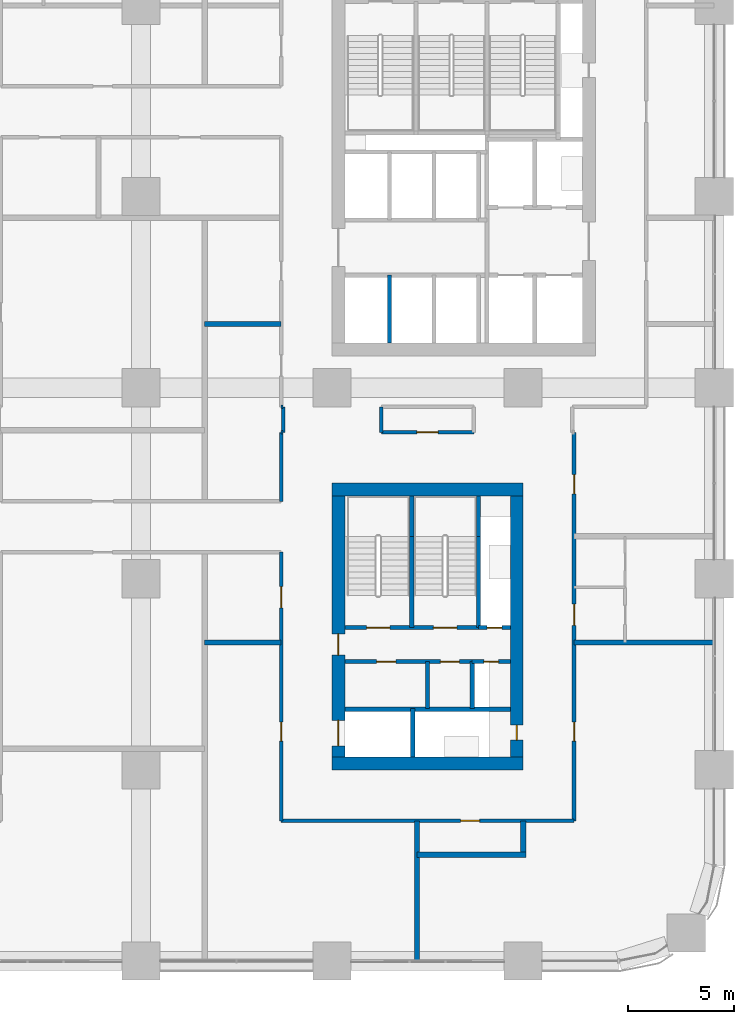
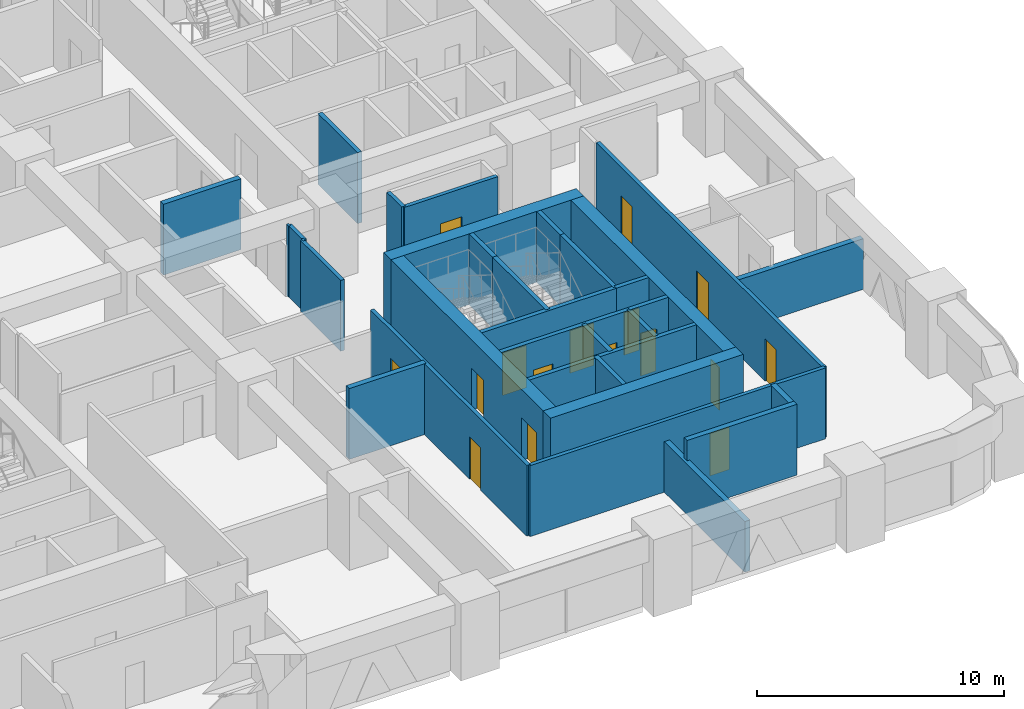
# One storey, part 14 of 21: 32 walls, 16 doors, 16 openings.
"""IFC4 building model written with IfcOpenShell, lengths in metres."""

from ifc_helpers import new_model, si_unit, direction, frame, frame_2d, origin, place, context, subcontext, project, spatial, rectangle, extrude, material, layer, layer_set, type_object, element, fill, save


model = new_model("IFC4")

# Units and contexts
model_context = context("Model", 3, precision=1e-05, world=origin(), true_north=direction((0.0, 1.0)))
body_context = subcontext(model_context, "Body", "Model", "MODEL_VIEW")
ifc_project = project(units=[si_unit("LENGTHUNIT", "METRE"), si_unit("AREAUNIT", "SQUARE_METRE"), si_unit("VOLUMEUNIT", "CUBIC_METRE"), si_unit("PLANEANGLEUNIT", "RADIAN"), si_unit("MASSUNIT", "GRAM", prefix="KILO")], contexts=[model_context])

# Site, building, storey
site_placement = place(None, origin())
site = spatial("IfcSite", under=ifc_project, at=site_placement, CompositionType="ELEMENT")
building_placement = place(site_placement, origin())
building = spatial("IfcBuilding", under=site, at=building_placement, Name="Tessera Arch", CompositionType="ELEMENT")
storey_placement = place(building_placement, frame((0.0, 0.0, 50.0)))
storey = spatial("IfcBuildingStorey", under=building, at=storey_placement, Name="L10", CompositionType="ELEMENT", Elevation=50.0)

# Wall
ifc_material_1 = material(Name="Gypsum board on steel stud", Category="steel")
ifc_layer_1 = layer(ifc_material_1, 0.125)
ifc_layer_set_1 = layer_set([ifc_layer_1], Name="Core partition 125 EI 60")
wall_type_1 = type_object("IfcWallType", Name="Core partition 125 EI 60", PredefinedType="PARTITIONING", material=ifc_layer_set_1)
wall_1_placement = place(storey_placement, frame((40.5, 11.89990234375, 0.0), z_axis=(0.0, 0.0, 1.0), x_axis=(0.0, 1.0, 0.0)))
element("IfcWall", 1, at=wall_1_placement, inside=storey, type_object=wall_type_1, Name="L10 C3 partition wall 4", PredefinedType="PARTITIONING", context=body_context, shape_type="SweptSolid", body=[
    extrude(rectangle(XDim=2.2001953125, YDim=0.199951171875, at=frame_2d((1.10009765625, 0.0))), origin(), (0.0, 0.0, 1.0), 3.5),
])

# Wall, openings, doors
wall_2_placement = place(storey_placement, frame((36.60009765625, 14.10009765625, 0.0), z_axis=(0.0, 0.0, 1.0), x_axis=(1.0, 0.0, 0.0)))
wall_2 = element("IfcWall", 2, at=wall_2_placement, inside=storey, type_object=wall_type_1, Name="L10 C3 partition wall 9", PredefinedType="PARTITIONING", context=body_context, shape_type="SweptSolid", body=[
    extrude(rectangle(XDim=6.0, YDim=0.199951171875, at=frame_2d((3.0, 0.0))), origin(), (0.0, 0.0, 1.0), 3.5),
])
opening_1_placement = place(wall_2_placement, frame((1.5, 0.0, 0.0)))
opening_1 = element("IfcOpeningElement", 3, at=opening_1_placement, cuts=wall_2, Name="Opening L10-C40", PredefinedType="OPENING", context=body_context, shape_type="SweptSolid", body=[
    extrude(rectangle(XDim=0.89990234375, YDim=2.10009765625, at=frame_2d((0.449951171875, 1.050048828125))), frame((0.0, 0.10986328125, 0.0), z_axis=(0.0, -1.0, 0.0), x_axis=(1.0, 0.0, 0.0)), (0.0, 0.0, 1.0), 0.219970703125),
])
opening_2_placement = place(wall_2_placement, frame((4.5, 0.0, 0.0)))
opening_2 = element("IfcOpeningElement", 4, at=opening_2_placement, cuts=wall_2, Name="Opening L10-C41", PredefinedType="OPENING", context=body_context, shape_type="SweptSolid", body=[
    extrude(rectangle(XDim=0.89990234375, YDim=2.10009765625, at=frame_2d((0.449951171875, 1.050048828125))), frame((0.0, 0.10986328125, 0.0), z_axis=(0.0, -1.0, 0.0), x_axis=(1.0, 0.0, 0.0)), (0.0, 0.0, 1.0), 0.219970703125),
])
ifc_material_2 = material(Name="Steel door leaf", Category="steel")
door_type_1 = type_object("IfcDoorType", Name="Store door FD30S 900 x 2100", OperationType="SINGLE_SWING_LEFT", PredefinedType="DOOR", material=ifc_material_2)
door_1_placement = place(opening_1_placement, origin())
door_1 = element("IfcDoor", 5, at=door_1_placement, inside=storey, type_object=door_type_1, Name="L10 C3 door 8 C40 type D09", OperationType="SINGLE_SWING_LEFT", OverallHeight=2.10009765625, OverallWidth=0.89990234375, PredefinedType="DOOR", context=body_context, shape_type="SweptSolid", body=[
    extrude(rectangle(XDim=0.89990234375, YDim=2.10009765625, at=frame_2d((0.449951171875, 1.050048828125))), frame((0.0, 0.02490234375, 0.0), z_axis=(0.0, -1.0, 0.0), x_axis=(1.0, 0.0, 0.0)), (0.0, 0.0, 1.0), 0.050048828125),
])
fill(opening_1, door_1)
door_2_placement = place(opening_2_placement, origin())
door_2 = element("IfcDoor", 6, at=door_2_placement, inside=storey, type_object=door_type_1, Name="L10 C3 door 9 C41 type D09", OperationType="SINGLE_SWING_RIGHT", OverallHeight=2.10009765625, OverallWidth=0.89990234375, PredefinedType="DOOR", context=body_context, shape_type="SweptSolid", body=[
    extrude(rectangle(XDim=0.89990234375, YDim=2.10009765625, at=frame_2d((0.449951171875, 1.050048828125))), frame((0.0, 0.02490234375, 0.0), z_axis=(0.0, -1.0, 0.0), x_axis=(1.0, 0.0, 0.0)), (0.0, 0.0, 1.0), 0.050048828125),
])
fill(opening_2, door_2)

# Walls
ifc_material_3 = material(Name="Concrete C70/85", Category="concrete")
ifc_layer_2 = layer(ifc_material_3, 0.60009765625)
ifc_layer_set_2 = layer_set([ifc_layer_2], Name="Core shell wall 600 C70-85")
wall_type_2 = type_object("IfcWallType", Name="Core shell wall 600 C70-85", PredefinedType="SHEAR", material=ifc_layer_set_2)
for number, where, z_axis, x_axis, name in (
    (7, (36.0, 9.300048828125, 0.0), (0.0, 0.0, 1.0), (1.0, 0.0, 0.0), "L10 C3 core wall S"),
    (8, (36.0, 22.199951171875, 0.0), (0.0, 0.0, 1.0), (1.0, 0.0, 0.0), "L10 C3 core wall N"),
):
    element("IfcWall", number, at=place(storey_placement, frame(where, z_axis=z_axis, x_axis=x_axis)), inside=storey, type_object=wall_type_2, Name=name, PredefinedType="SHEAR", context=body_context, shape_type="SweptSolid", body=[
        extrude(rectangle(XDim=9.0, YDim=0.60009765625, at=frame_2d((4.5, 0.0))), origin(), (0.0, 0.0, 1.0), 3.5),
    ])

# Wall, openings, doors
wall_3_placement = place(storey_placement, frame((36.300048828125, 9.60009765625, 0.0), z_axis=(0.0, 0.0, 1.0), x_axis=(0.0, 1.0, 0.0)))
wall_3 = element("IfcWall", 9, at=wall_3_placement, inside=storey, type_object=wall_type_2, Name="L10 C3 core wall W", PredefinedType="SHEAR", context=body_context, shape_type="SweptSolid", body=[
    extrude(rectangle(XDim=12.2998046875, YDim=0.60009765625, at=frame_2d((6.14990234375, 0.0))), origin(), (0.0, 0.0, 1.0), 3.5),
])
opening_3_placement = place(wall_3_placement, frame((0.52490234375, 0.0, 0.0)))
opening_3 = element("IfcOpeningElement", 10, at=opening_3_placement, cuts=wall_3, Name="Opening L10-C33", PredefinedType="OPENING", context=body_context, shape_type="SweptSolid", body=[
    extrude(rectangle(XDim=1.199951171875, YDim=2.10009765625, at=frame_2d((0.60009765625, 1.050048828125))), frame((0.0, 0.31005859375, 0.0), z_axis=(0.0, -1.0, 0.0), x_axis=(1.0, 0.0, 0.0)), (0.0, 0.0, 1.0), 0.6201171875),
])
opening_4_placement = place(wall_3_placement, frame((4.800048828125, 0.0, 0.0)))
opening_4 = element("IfcOpeningElement", 11, at=opening_4_placement, cuts=wall_3, Name="Opening L10-C39", PredefinedType="OPENING", context=body_context, shape_type="SweptSolid", body=[
    extrude(rectangle(XDim=1.0, YDim=2.10009765625, at=frame_2d((0.5, 1.050048828125))), frame((0.0, 0.31005859375, 0.0), z_axis=(0.0, -1.0, 0.0), x_axis=(1.0, 0.0, 0.0)), (0.0, 0.0, 1.0), 0.6201171875),
])
ifc_material_4 = material(Name="Steel door leaf", Category="steel")
door_type_2 = type_object("IfcDoorType", Name="Corridor door FD60 1000 x 2100", OperationType="SINGLE_SWING_LEFT", PredefinedType="DOOR", material=ifc_material_4)
door_3_placement = place(opening_4_placement, origin())
door_3 = element("IfcDoor", 12, at=door_3_placement, inside=storey, type_object=door_type_2, Name="L10 C3 door 7 C39 type D12", OperationType="SINGLE_SWING_LEFT", OverallHeight=2.10009765625, OverallWidth=1.0, PredefinedType="DOOR", context=body_context, shape_type="SweptSolid", body=[
    extrude(rectangle(XDim=1.0, YDim=2.10009765625, at=frame_2d((0.5, 1.050048828125))), frame((0.0, 0.02490234375, 0.0), z_axis=(0.0, -1.0, 0.0), x_axis=(1.0, 0.0, 0.0)), (0.0, 0.0, 1.0), 0.050048828125),
])
fill(opening_4, door_3)
ifc_material_5 = material(Name="Stainless steel AISI 304", Category="steel")
door_type_3 = type_object("IfcDoorType", Name="Sliding landing door 1200 x 2100", OperationType="SLIDING_TO_LEFT", PredefinedType="DOOR", material=ifc_material_5)
door_4_placement = place(opening_3_placement, origin())
door_4 = element("IfcDoor", 13, at=door_4_placement, inside=storey, type_object=door_type_3, Name="L10 SV1 lift landing door C33 type LD", OperationType="SLIDING_TO_LEFT", OverallHeight=2.10009765625, OverallWidth=1.199951171875, PredefinedType="DOOR", context=body_context, shape_type="SweptSolid", body=[
    extrude(rectangle(XDim=1.199951171875, YDim=2.10009765625, at=frame_2d((0.60009765625, 1.050048828125))), frame((0.0, 0.02490234375, 0.0), z_axis=(0.0, -1.0, 0.0), x_axis=(1.0, 0.0, 0.0)), (0.0, 0.0, 1.0), 0.050048828125),
])
fill(opening_3, door_4)

# Wall, opening, door
wall_4_placement = place(storey_placement, frame((44.699951171875, 9.60009765625, 0.0), z_axis=(0.0, 0.0, 1.0), x_axis=(0.0, 1.0, 0.0)))
wall_4 = element("IfcWall", 14, at=wall_4_placement, inside=storey, type_object=wall_type_2, Name="L10 C3 core wall E", PredefinedType="SHEAR", context=body_context, shape_type="SweptSolid", body=[
    extrude(rectangle(XDim=12.2998046875, YDim=0.60009765625, at=frame_2d((6.14990234375, 0.0))), origin(), (0.0, 0.0, 1.0), 3.5),
])
opening_5_placement = place(wall_4_placement, frame((0.800048828125, 0.0, 0.0)))
opening_5 = element("IfcOpeningElement", 15, at=opening_5_placement, cuts=wall_4, Name="Opening L10-C38", PredefinedType="OPENING", context=body_context, shape_type="SweptSolid", body=[
    extrude(rectangle(XDim=0.699951171875, YDim=2.10009765625, at=frame_2d((0.35009765625, 1.050048828125))), frame((0.0, 0.31005859375, 0.0), z_axis=(0.0, -1.0, 0.0), x_axis=(1.0, 0.0, 0.0)), (0.0, 0.0, 1.0), 0.6201171875),
])
ifc_material_6 = material(Name="Steel door leaf", Category="steel")
door_type_4 = type_object("IfcDoorType", Name="Service shaft door FD60 700 x 2100", OperationType="SINGLE_SWING_LEFT", PredefinedType="DOOR", material=ifc_material_6)
door_5_placement = place(opening_5_placement, origin())
door_5 = element("IfcDoor", 16, at=door_5_placement, inside=storey, type_object=door_type_4, Name="L10 C3 door 6 C38 type D07", OperationType="SINGLE_SWING_LEFT", OverallHeight=2.10009765625, OverallWidth=0.699951171875, PredefinedType="DOOR", context=body_context, shape_type="SweptSolid", body=[
    extrude(rectangle(XDim=0.699951171875, YDim=2.10009765625, at=frame_2d((0.35009765625, 1.050048828125))), frame((0.0, 0.02490234375, 0.0), z_axis=(0.0, -1.0, 0.0), x_axis=(1.0, 0.0, 0.0)), (0.0, 0.0, 1.0), 0.050048828125),
])
fill(opening_5, door_5)

ifc_material_7 = material(Name="Gypsum board on deep steel stud with mineral wool", Category="steel")
ifc_layer_3 = layer(ifc_material_7, 0.175048828125)
ifc_layer_set_3 = layer_set([ifc_layer_3], Name="Corridor wall 175 EI 60")
wall_type_3 = type_object("IfcWallType", Name="Corridor wall 175 EI 60", PredefinedType="PARTITIONING", material=ifc_layer_set_3)
wall_5_placement = place(storey_placement, frame((33.60009765625, 6.60009765625, 0.0), z_axis=(0.0, 0.0, 1.0), x_axis=(1.0, 0.0, 0.0)))
wall_5 = element("IfcWall", 17, at=wall_5_placement, inside=storey, type_object=wall_type_3, Name="L10 partition 2", PredefinedType="PARTITIONING", context=body_context, shape_type="SweptSolid", body=[
    extrude(rectangle(XDim=13.7998046875, YDim=0.175048828125, at=frame_2d((6.89990234375, 0.0))), origin(), (0.0, 0.0, 1.0), 3.5),
])
opening_6_placement = place(wall_5_placement, frame((8.449951171875, 0.0, 0.0)))
opening_6 = element("IfcOpeningElement", 18, at=opening_6_placement, cuts=wall_5, Name="Opening L10-D007", PredefinedType="OPENING", context=body_context, shape_type="SweptSolid", body=[
    extrude(rectangle(XDim=0.89990234375, YDim=2.10009765625, at=frame_2d((0.449951171875, 1.050048828125))), frame((0.0, 0.097412109375, 0.0), z_axis=(0.0, -1.0, 0.0), x_axis=(1.0, 0.0, 0.0)), (0.0, 0.0, 1.0), 0.195068359375),
])
ifc_material_8 = material(Name="Timber door leaf", Category="wood")
door_type_5 = type_object("IfcDoorType", Name="Room door 900 x 2100", OperationType="SINGLE_SWING_LEFT", PredefinedType="DOOR", material=ifc_material_8)
door_6_placement = place(opening_6_placement, origin())
door_6 = element("IfcDoor", 19, at=door_6_placement, inside=storey, type_object=door_type_5, Name="L10 door D007 type D01", OperationType="SINGLE_SWING_RIGHT", OverallHeight=2.10009765625, OverallWidth=0.89990234375, PredefinedType="DOOR", context=body_context, shape_type="SweptSolid", body=[
    extrude(rectangle(XDim=0.89990234375, YDim=2.10009765625, at=frame_2d((0.449951171875, 1.050048828125))), frame((0.0, 0.02490234375, 0.0), z_axis=(0.0, -1.0, 0.0), x_axis=(1.0, 0.0, 0.0)), (0.0, 0.0, 1.0), 0.050048828125),
])
fill(opening_6, door_6)

# Wall
wall_6_placement = place(storey_placement, frame((33.60009765625, 24.89990234375, 0.0), z_axis=(0.0, 0.0, 1.0), x_axis=(1.0, 0.0, 0.0)))
element("IfcWall", 20, at=wall_6_placement, inside=storey, type_object=wall_type_3, Name="L10 partition 8", PredefinedType="PARTITIONING", context=body_context, shape_type="SweptSolid", body=[
    extrude(rectangle(XDim=0.099853515625, YDim=0.175048828125, at=frame_2d((0.0498046875, 0.0))), origin(), (0.0, 0.0, 1.0), 3.5),
])

# Wall, opening, door
wall_7_placement = place(storey_placement, frame((38.320068359375, 24.89990234375, 0.0), z_axis=(0.0, 0.0, 1.0), x_axis=(1.0, 0.0, 0.0)))
wall_7 = element("IfcWall", 21, at=wall_7_placement, inside=storey, type_object=wall_type_3, Name="L10 partition 9", PredefinedType="PARTITIONING", context=body_context, shape_type="SweptSolid", body=[
    extrude(rectangle(XDim=4.35986328125, YDim=0.175048828125, at=frame_2d((2.179931640625, 0.0))), origin(), (0.0, 0.0, 1.0), 3.5),
])
opening_7_placement = place(wall_7_placement, frame((1.679931640625, 0.0, 0.0)))
opening_7 = element("IfcOpeningElement", 22, at=opening_7_placement, cuts=wall_7, Name="Opening L10-D023", PredefinedType="OPENING", context=body_context, shape_type="SweptSolid", body=[
    extrude(rectangle(XDim=1.0, YDim=2.10009765625, at=frame_2d((0.5, 1.050048828125))), frame((0.0, 0.097412109375, 0.0), z_axis=(0.0, -1.0, 0.0), x_axis=(1.0, 0.0, 0.0)), (0.0, 0.0, 1.0), 0.195068359375),
])
ifc_material_9 = material(Name="Fire-rated door leaf")
door_type_6 = type_object("IfcDoorType", Name="Entrance door FD30S 1000 x 2100", OperationType="SINGLE_SWING_LEFT", PredefinedType="DOOR", material=ifc_material_9)
door_7_placement = place(opening_7_placement, origin())
door_7 = element("IfcDoor", 23, at=door_7_placement, inside=storey, type_object=door_type_6, Name="L10 door D023 type D03", OperationType="SINGLE_SWING_LEFT", OverallHeight=2.10009765625, OverallWidth=1.0, PredefinedType="DOOR", context=body_context, shape_type="SweptSolid", body=[
    extrude(rectangle(XDim=1.0, YDim=2.10009765625, at=frame_2d((0.5, 1.050048828125))), frame((0.0, 0.02490234375, 0.0), z_axis=(0.0, -1.0, 0.0), x_axis=(1.0, 0.0, 0.0)), (0.0, 0.0, 1.0), 0.050048828125),
])
fill(opening_7, door_7)

# Wall
wall_8_placement = place(storey_placement, frame((33.60009765625, 26.10009765625, 0.0), z_axis=(0.0, 0.0, 1.0), x_axis=(1.0, 0.0, 0.0)))
element("IfcWall", 24, at=wall_8_placement, inside=storey, type_object=wall_type_3, Name="L10 partition 14", PredefinedType="PARTITIONING", context=body_context, shape_type="SweptSolid", body=[
    extrude(rectangle(XDim=0.099853515625, YDim=0.175048828125, at=frame_2d((0.0498046875, 0.0))), origin(), (0.0, 0.0, 1.0), 3.5),
])

# Wall, openings, doors
wall_9_placement = place(storey_placement, frame((33.60009765625, 6.60009765625, 0.0), z_axis=(0.0, 0.0, 1.0), x_axis=(0.0, 1.0, 0.0)))
wall_9 = element("IfcWall", 25, at=wall_9_placement, inside=storey, type_object=wall_type_3, Name="L10 partition 31", PredefinedType="PARTITIONING", context=body_context, shape_type="SweptSolid", body=[
    extrude(rectangle(XDim=12.64990234375, YDim=0.175048828125, at=frame_2d((6.324951171875, 0.0))), origin(), (0.0, 0.0, 1.0), 3.5),
])
opening_8_placement = place(wall_9_placement, frame((3.75, 0.0, 0.0)))
opening_8 = element("IfcOpeningElement", 26, at=opening_8_placement, cuts=wall_9, Name="Opening L10-D006", PredefinedType="OPENING", context=body_context, shape_type="SweptSolid", body=[
    extrude(rectangle(XDim=0.89990234375, YDim=2.10009765625, at=frame_2d((0.449951171875, 1.050048828125))), frame((0.0, 0.097412109375, 0.0), z_axis=(0.0, -1.0, 0.0), x_axis=(1.0, 0.0, 0.0)), (0.0, 0.0, 1.0), 0.195068359375),
])
opening_9_placement = place(wall_9_placement, frame((10.02490234375, 0.0, 0.0)))
opening_9 = element("IfcOpeningElement", 27, at=opening_9_placement, cuts=wall_9, Name="Opening L10-D013", PredefinedType="OPENING", context=body_context, shape_type="SweptSolid", body=[
    extrude(rectangle(XDim=1.0, YDim=2.10009765625, at=frame_2d((0.5, 1.050048828125))), frame((0.0, 0.097412109375, 0.0), z_axis=(0.0, -1.0, 0.0), x_axis=(1.0, 0.0, 0.0)), (0.0, 0.0, 1.0), 0.195068359375),
])
door_8_placement = place(opening_9_placement, origin())
door_8 = element("IfcDoor", 28, at=door_8_placement, inside=storey, type_object=door_type_6, Name="L10 door D013 type D03", OperationType="SINGLE_SWING_LEFT", OverallHeight=2.10009765625, OverallWidth=1.0, PredefinedType="DOOR", context=body_context, shape_type="SweptSolid", body=[
    extrude(rectangle(XDim=1.0, YDim=2.10009765625, at=frame_2d((0.5, 1.050048828125))), frame((0.0, 0.02490234375, 0.0), z_axis=(0.0, -1.0, 0.0), x_axis=(1.0, 0.0, 0.0)), (0.0, 0.0, 1.0), 0.050048828125),
])
fill(opening_9, door_8)
door_9_placement = place(opening_8_placement, origin())
door_9 = element("IfcDoor", 29, at=door_9_placement, inside=storey, type_object=door_type_5, Name="L10 door D006 type D01", OperationType="SINGLE_SWING_RIGHT", OverallHeight=2.10009765625, OverallWidth=0.89990234375, PredefinedType="DOOR", context=body_context, shape_type="SweptSolid", body=[
    extrude(rectangle(XDim=0.89990234375, YDim=2.10009765625, at=frame_2d((0.449951171875, 1.050048828125))), frame((0.0, 0.02490234375, 0.0), z_axis=(0.0, -1.0, 0.0), x_axis=(1.0, 0.0, 0.0)), (0.0, 0.0, 1.0), 0.050048828125),
])
fill(opening_8, door_9)

# Walls
wall_10_placement = place(storey_placement, frame((33.60009765625, 21.64990234375, 0.0), z_axis=(0.0, 0.0, 1.0), x_axis=(0.0, 1.0, 0.0)))
element("IfcWall", 30, at=wall_10_placement, inside=storey, type_object=wall_type_3, Name="L10 partition 32", PredefinedType="PARTITIONING", context=body_context, shape_type="SweptSolid", body=[
    extrude(rectangle(XDim=3.25, YDim=0.175048828125, at=frame_2d((1.625, 0.0))), origin(), (0.0, 0.0, 1.0), 3.5),
])
for number, where, z_axis, x_axis, name in (
    (31, (33.699951171875, 24.89990234375, 0.0), (0.0, 0.0, 1.0), (0.0, 1.0, 0.0), "L10 partition 35"),
    (32, (38.320068359375, 24.89990234375, 0.0), (0.0, 0.0, 1.0), (0.0, 1.0, 0.0), "L10 partition 36"),
):
    element("IfcWall", number, at=place(storey_placement, frame(where, z_axis=z_axis, x_axis=x_axis)), inside=storey, type_object=wall_type_3, Name=name, PredefinedType="PARTITIONING", context=body_context, shape_type="SweptSolid", body=[
        extrude(rectangle(XDim=1.2001953125, YDim=0.175048828125, at=frame_2d((0.60009765625, 0.0))), origin(), (0.0, 0.0, 1.0), 3.5),
    ])

# Wall, openings, doors
wall_11_placement = place(storey_placement, frame((47.39990234375, 6.60009765625, 0.0), z_axis=(0.0, 0.0, 1.0), x_axis=(0.0, 1.0, 0.0)))
wall_11 = element("IfcWall", 33, at=wall_11_placement, inside=storey, type_object=wall_type_3, Name="L10 partition 39", PredefinedType="PARTITIONING", context=body_context, shape_type="SweptSolid", body=[
    extrude(rectangle(XDim=18.2998046875, YDim=0.175048828125, at=frame_2d((9.14990234375, 0.0))), origin(), (0.0, 0.0, 1.0), 3.5),
])
opening_10_placement = place(wall_11_placement, frame((3.75, 0.0, 0.0)))
opening_10 = element("IfcOpeningElement", 34, at=opening_10_placement, cuts=wall_11, Name="Opening L10-D008", PredefinedType="OPENING", context=body_context, shape_type="SweptSolid", body=[
    extrude(rectangle(XDim=0.89990234375, YDim=2.10009765625, at=frame_2d((0.449951171875, 1.050048828125))), frame((0.0, 0.097412109375, 0.0), z_axis=(0.0, -1.0, 0.0), x_axis=(1.0, 0.0, 0.0)), (0.0, 0.0, 1.0), 0.195068359375),
])
opening_11_placement = place(wall_11_placement, frame((9.199951171875, 0.0, 0.0)))
opening_11 = element("IfcOpeningElement", 35, at=opening_11_placement, cuts=wall_11, Name="Opening L10-D014", PredefinedType="OPENING", context=body_context, shape_type="SweptSolid", body=[
    extrude(rectangle(XDim=1.0, YDim=2.10009765625, at=frame_2d((0.5, 1.050048828125))), frame((0.0, 0.097412109375, 0.0), z_axis=(0.0, -1.0, 0.0), x_axis=(1.0, 0.0, 0.0)), (0.0, 0.0, 1.0), 0.195068359375),
])
opening_12_placement = place(wall_11_placement, frame((15.39990234375, 0.0, 0.0)))
opening_12 = element("IfcOpeningElement", 36, at=opening_12_placement, cuts=wall_11, Name="Opening L10-D021", PredefinedType="OPENING", context=body_context, shape_type="SweptSolid", body=[
    extrude(rectangle(XDim=0.89990234375, YDim=2.10009765625, at=frame_2d((0.449951171875, 1.050048828125))), frame((0.0, 0.097412109375, 0.0), z_axis=(0.0, -1.0, 0.0), x_axis=(1.0, 0.0, 0.0)), (0.0, 0.0, 1.0), 0.195068359375),
])
door_10_placement = place(opening_11_placement, origin())
door_10 = element("IfcDoor", 37, at=door_10_placement, inside=storey, type_object=door_type_6, Name="L10 door D014 type D03", OperationType="SINGLE_SWING_LEFT", OverallHeight=2.10009765625, OverallWidth=1.0, PredefinedType="DOOR", context=body_context, shape_type="SweptSolid", body=[
    extrude(rectangle(XDim=1.0, YDim=2.10009765625, at=frame_2d((0.5, 1.050048828125))), frame((0.0, 0.02490234375, 0.0), z_axis=(0.0, -1.0, 0.0), x_axis=(1.0, 0.0, 0.0)), (0.0, 0.0, 1.0), 0.050048828125),
])
fill(opening_11, door_10)
door_11_placement = place(opening_10_placement, origin())
door_11 = element("IfcDoor", 38, at=door_11_placement, inside=storey, type_object=door_type_5, Name="L10 door D008 type D01", OperationType="SINGLE_SWING_LEFT", OverallHeight=2.10009765625, OverallWidth=0.89990234375, PredefinedType="DOOR", context=body_context, shape_type="SweptSolid", body=[
    extrude(rectangle(XDim=0.89990234375, YDim=2.10009765625, at=frame_2d((0.449951171875, 1.050048828125))), frame((0.0, 0.02490234375, 0.0), z_axis=(0.0, -1.0, 0.0), x_axis=(1.0, 0.0, 0.0)), (0.0, 0.0, 1.0), 0.050048828125),
])
fill(opening_10, door_11)
door_12_placement = place(opening_12_placement, origin())
door_12 = element("IfcDoor", 39, at=door_12_placement, inside=storey, type_object=door_type_5, Name="L10 door D021 type D01", OperationType="SINGLE_SWING_RIGHT", OverallHeight=2.10009765625, OverallWidth=0.89990234375, PredefinedType="DOOR", context=body_context, shape_type="SweptSolid", body=[
    extrude(rectangle(XDim=0.89990234375, YDim=2.10009765625, at=frame_2d((0.449951171875, 1.050048828125))), frame((0.0, 0.02490234375, 0.0), z_axis=(0.0, -1.0, 0.0), x_axis=(1.0, 0.0, 0.0)), (0.0, 0.0, 1.0), 0.050048828125),
])
fill(opening_12, door_12)

# Walls
ifc_material_10 = material(Name="Double gypsum board on twin steel stud with acoustic mineral wool", Category="steel")
ifc_layer_4 = layer(ifc_material_10, 0.25)
ifc_layer_set_4 = layer_set([ifc_layer_4], Name="Party wall 250 EI 60")
wall_type_4 = type_object("IfcWallType", Name="Party wall 250 EI 60", PredefinedType="PARTITIONING", material=ifc_layer_set_4)
wall_12_placement = place(storey_placement, frame((40.0, 5.0, 0.0), z_axis=(0.0, 0.0, 1.0), x_axis=(1.0, 0.0, 0.0)))
element("IfcWall", 40, at=wall_12_placement, inside=storey, type_object=wall_type_4, Name="L10 partition 46", PredefinedType="PARTITIONING", context=body_context, shape_type="SweptSolid", body=[
    extrude(rectangle(XDim=5.125, YDim=0.25, at=frame_2d((2.5625, 0.0))), origin(), (0.0, 0.0, 1.0), 3.5),
])
wall_13_placement = place(storey_placement, frame((30.0, 15.0, 0.0), z_axis=(0.0, 0.0, 1.0), x_axis=(1.0, 0.0, 0.0)))
element("IfcWall", 41, at=wall_13_placement, inside=storey, type_object=wall_type_4, Name="L10 partition 49", PredefinedType="PARTITIONING", context=body_context, shape_type="SweptSolid", body=[
    extrude(rectangle(XDim=3.60009765625, YDim=0.25, at=frame_2d((1.800048828125, 0.0))), origin(), (0.0, 0.0, 1.0), 3.5),
])
wall_14_placement = place(storey_placement, frame((47.39990234375, 15.0, 0.0), z_axis=(0.0, 0.0, 1.0), x_axis=(1.0, 0.0, 0.0)))
element("IfcWall", 42, at=wall_14_placement, inside=storey, type_object=wall_type_4, Name="L10 partition 50", PredefinedType="PARTITIONING", context=body_context, shape_type="SweptSolid", body=[
    extrude(rectangle(XDim=6.60009765625, YDim=0.25, at=frame_2d((3.300048828125, 0.0))), origin(), (0.0, 0.0, 1.0), 2.5),
])
wall_15_placement = place(storey_placement, frame((30.0, 30.0, 0.0), z_axis=(0.0, 0.0, 1.0), x_axis=(1.0, 0.0, 0.0)))
element("IfcWall", 43, at=wall_15_placement, inside=storey, type_object=wall_type_4, Name="L10 partition 55", PredefinedType="PARTITIONING", context=body_context, shape_type="SweptSolid", body=[
    extrude(rectangle(XDim=3.60009765625, YDim=0.25, at=frame_2d((1.800048828125, 0.0))), origin(), (0.0, 0.0, 1.0), 3.5),
])
wall_16_placement = place(storey_placement, frame((40.0, 0.0, 0.0), z_axis=(0.0, 0.0, 1.0), x_axis=(0.0, 1.0, 0.0)))
element("IfcWall", 44, at=wall_16_placement, inside=storey, type_object=wall_type_4, Name="L10 partition 72", PredefinedType="PARTITIONING", context=body_context, shape_type="SweptSolid", body=[
    extrude(rectangle(XDim=6.60009765625, YDim=0.25, at=frame_2d((3.300048828125, 0.0))), origin(), (0.0, 0.0, 1.0), 2.5),
])
wall_17_placement = place(storey_placement, frame((45.0, 5.125, 0.0), z_axis=(0.0, 0.0, 1.0), x_axis=(0.0, 1.0, 0.0)))
element("IfcWall", 45, at=wall_17_placement, inside=storey, type_object=wall_type_4, Name="L10 partition 74", PredefinedType="PARTITIONING", context=body_context, shape_type="SweptSolid", body=[
    extrude(rectangle(XDim=1.47509765625, YDim=0.25, at=frame_2d((0.737548828125, 0.0))), origin(), (0.0, 0.0, 1.0), 3.5),
])
ifc_material_11 = material(Name="Concrete C40/50", Category="concrete")
ifc_layer_5 = layer(ifc_material_11, 0.199951171875)
ifc_layer_set_5 = layer_set([ifc_layer_5], Name="Shaft wall 200 EI 120")
wall_type_5 = type_object("IfcWallType", Name="Shaft wall 200 EI 120", PredefinedType="SOLIDWALL", material=ifc_layer_set_5)
wall_18_placement = place(storey_placement, frame((38.699951171875, 29.10009765625, 0.0), z_axis=(0.0, 0.0, 1.0), x_axis=(0.0, 1.0, 0.0)))
element("IfcWall", 46, at=wall_18_placement, inside=storey, type_object=wall_type_5, Name="L10 C1 shaft wall 1", PredefinedType="SOLIDWALL", context=body_context, shape_type="SweptSolid", body=[
    extrude(rectangle(XDim=3.199951171875, YDim=0.199951171875, at=frame_2d((1.60009765625, 0.0))), origin(), (0.0, 0.0, 1.0), 3.5),
])
wall_19_placement = place(storey_placement, frame((39.800048828125, 9.60009765625, 0.0), z_axis=(0.0, 0.0, 1.0), x_axis=(0.0, 1.0, 0.0)))
element("IfcWall", 47, at=wall_19_placement, inside=storey, type_object=wall_type_5, Name="L10 C3 shaft wall 3", PredefinedType="SOLIDWALL", context=body_context, shape_type="SweptSolid", body=[
    extrude(rectangle(XDim=2.2998046875, YDim=0.199951171875, at=frame_2d((1.14990234375, 0.0))), origin(), (0.0, 0.0, 1.0), 3.5),
])
wall_20_placement = place(storey_placement, frame((42.60009765625, 11.89990234375, 0.0), z_axis=(0.0, 0.0, 1.0), x_axis=(0.0, 1.0, 0.0)))
element("IfcWall", 48, at=wall_20_placement, inside=storey, type_object=wall_type_5, Name="L10 C3 shaft wall 5", PredefinedType="SOLIDWALL", context=body_context, shape_type="SweptSolid", body=[
    extrude(rectangle(XDim=2.2001953125, YDim=0.199951171875, at=frame_2d((1.10009765625, 0.0))), origin(), (0.0, 0.0, 1.0), 3.5),
])
wall_21_placement = place(storey_placement, frame((36.60009765625, 11.85009765625, 0.0), z_axis=(0.0, 0.0, 1.0), x_axis=(1.0, 0.0, 0.0)))
element("IfcWall", 49, at=wall_21_placement, inside=storey, type_object=wall_type_5, Name="L10 C3 shaft wall 8", PredefinedType="SOLIDWALL", context=body_context, shape_type="SweptSolid", body=[
    extrude(rectangle(XDim=7.7998046875, YDim=0.199951171875, at=frame_2d((3.89990234375, 0.0))), origin(), (0.0, 0.0, 1.0), 3.5),
])

# Wall, opening, door
wall_22_placement = place(storey_placement, frame((42.60009765625, 14.10009765625, 0.0), z_axis=(0.0, 0.0, 1.0), x_axis=(1.0, 0.0, 0.0)))
wall_22 = element("IfcWall", 50, at=wall_22_placement, inside=storey, type_object=wall_type_5, Name="L10 C3 shaft wall 10", PredefinedType="SOLIDWALL", context=body_context, shape_type="SweptSolid", body=[
    extrude(rectangle(XDim=1.7998046875, YDim=0.199951171875, at=frame_2d((0.89990234375, 0.0))), origin(), (0.0, 0.0, 1.0), 3.5),
])
opening_13_placement = place(wall_22_placement, frame((0.550048828125, 0.0, 0.0)))
opening_13 = element("IfcOpeningElement", 51, at=opening_13_placement, cuts=wall_22, Name="Opening L10-C37", PredefinedType="OPENING", context=body_context, shape_type="SweptSolid", body=[
    extrude(rectangle(XDim=0.699951171875, YDim=2.10009765625, at=frame_2d((0.35009765625, 1.050048828125))), frame((0.0, 0.10986328125, 0.0), z_axis=(0.0, -1.0, 0.0), x_axis=(1.0, 0.0, 0.0)), (0.0, 0.0, 1.0), 0.219970703125),
])
door_13_placement = place(opening_13_placement, origin())
door_13 = element("IfcDoor", 52, at=door_13_placement, inside=storey, type_object=door_type_4, Name="L10 C3 door 5 C37 type D07", OperationType="SINGLE_SWING_RIGHT", OverallHeight=2.10009765625, OverallWidth=0.699951171875, PredefinedType="DOOR", context=body_context, shape_type="SweptSolid", body=[
    extrude(rectangle(XDim=0.699951171875, YDim=2.10009765625, at=frame_2d((0.35009765625, 1.050048828125))), frame((0.0, 0.02490234375, 0.0), z_axis=(0.0, -1.0, 0.0), x_axis=(1.0, 0.0, 0.0)), (0.0, 0.0, 1.0), 0.050048828125),
])
fill(opening_13, door_13)

wall_23_placement = place(storey_placement, frame((42.89990234375, 15.699951171875, 0.0), z_axis=(0.0, 0.0, 1.0), x_axis=(1.0, 0.0, 0.0)))
wall_23 = element("IfcWall", 53, at=wall_23_placement, inside=storey, type_object=wall_type_5, Name="L10 C3 shaft wall 11", PredefinedType="SOLIDWALL", context=body_context, shape_type="SweptSolid", body=[
    extrude(rectangle(XDim=1.5, YDim=0.199951171875, at=frame_2d((0.75, 0.0))), origin(), (0.0, 0.0, 1.0), 3.5),
])
opening_14_placement = place(wall_23_placement, frame((0.39990234375, 0.0, 0.0)))
opening_14 = element("IfcOpeningElement", 54, at=opening_14_placement, cuts=wall_23, Name="Opening L10-C36", PredefinedType="OPENING", context=body_context, shape_type="SweptSolid", body=[
    extrude(rectangle(XDim=0.699951171875, YDim=2.10009765625, at=frame_2d((0.35009765625, 1.050048828125))), frame((0.0, 0.10986328125, 0.0), z_axis=(0.0, -1.0, 0.0), x_axis=(1.0, 0.0, 0.0)), (0.0, 0.0, 1.0), 0.219970703125),
])
door_14_placement = place(opening_14_placement, origin())
door_14 = element("IfcDoor", 55, at=door_14_placement, inside=storey, type_object=door_type_4, Name="L10 C3 door 4 C36 type D07", OperationType="SINGLE_SWING_LEFT", OverallHeight=2.10009765625, OverallWidth=0.699951171875, PredefinedType="DOOR", context=body_context, shape_type="SweptSolid", body=[
    extrude(rectangle(XDim=0.699951171875, YDim=2.10009765625, at=frame_2d((0.35009765625, 1.050048828125))), frame((0.0, 0.02490234375, 0.0), z_axis=(0.0, -1.0, 0.0), x_axis=(1.0, 0.0, 0.0)), (0.0, 0.0, 1.0), 0.050048828125),
])
fill(opening_14, door_14)

# Walls
ifc_material_12 = material(Name="Concrete C40/50", Category="concrete")
ifc_layer_6 = layer(ifc_material_12, 0.199951171875)
ifc_layer_set_6 = layer_set([ifc_layer_6], Name="Stair well wall 200 REI 180")
wall_type_6 = type_object("IfcWallType", Name="Stair well wall 200 REI 180", PredefinedType="SOLIDWALL", material=ifc_layer_set_6)
wall_24_placement = place(storey_placement, frame((39.75, 15.699951171875, 0.0), z_axis=(0.0, 0.0, 1.0), x_axis=(0.0, 1.0, 0.0)))
element("IfcWall", 56, at=wall_24_placement, inside=storey, type_object=wall_type_6, Name="L10 C3 shaft wall 1", PredefinedType="SOLIDWALL", context=body_context, shape_type="SweptSolid", body=[
    extrude(rectangle(XDim=4.300048828125, YDim=0.199951171875, at=frame_2d((2.14990234375, 0.0))), origin(), (0.0, 0.0, 1.0), 3.5),
])
wall_25_placement = place(storey_placement, frame((39.75, 20.0, 0.0), z_axis=(0.0, 0.0, 1.0), x_axis=(0.0, 1.0, 0.0)))
element("IfcWall", 57, at=wall_25_placement, inside=storey, type_object=wall_type_6, Name="L10 C3 shaft wall 2", PredefinedType="SOLIDWALL", context=body_context, shape_type="SweptSolid", body=[
    extrude(rectangle(XDim=1.89990234375, YDim=0.199951171875, at=frame_2d((0.949951171875, 0.0))), origin(), (0.0, 0.0, 1.0), 3.5),
])
wall_26_placement = place(storey_placement, frame((42.89990234375, 15.699951171875, 0.0), z_axis=(0.0, 0.0, 1.0), x_axis=(0.0, 1.0, 0.0)))
element("IfcWall", 58, at=wall_26_placement, inside=storey, type_object=wall_type_6, Name="L10 C3 shaft wall 6", PredefinedType="SOLIDWALL", context=body_context, shape_type="SweptSolid", body=[
    extrude(rectangle(XDim=4.300048828125, YDim=0.199951171875, at=frame_2d((2.14990234375, 0.0))), origin(), (0.0, 0.0, 1.0), 3.5),
])
wall_27_placement = place(storey_placement, frame((42.89990234375, 20.0, 0.0), z_axis=(0.0, 0.0, 1.0), x_axis=(0.0, 1.0, 0.0)))
element("IfcWall", 59, at=wall_27_placement, inside=storey, type_object=wall_type_6, Name="L10 C3 shaft wall 7", PredefinedType="SOLIDWALL", context=body_context, shape_type="SweptSolid", body=[
    extrude(rectangle(XDim=1.89990234375, YDim=0.199951171875, at=frame_2d((0.949951171875, 0.0))), origin(), (0.0, 0.0, 1.0), 3.5),
])

# Wall, openings, doors
wall_28_placement = place(storey_placement, frame((36.60009765625, 15.699951171875, 0.0), z_axis=(0.0, 0.0, 1.0), x_axis=(1.0, 0.0, 0.0)))
wall_28 = element("IfcWall", 60, at=wall_28_placement, inside=storey, type_object=wall_type_6, Name="L10 C3 shaft wall 12", PredefinedType="SOLIDWALL", context=body_context, shape_type="SweptSolid", body=[
    extrude(rectangle(XDim=6.2998046875, YDim=0.199951171875, at=frame_2d((3.14990234375, 0.0))), origin(), (0.0, 0.0, 1.0), 3.5),
])
opening_15_placement = place(wall_28_placement, frame((1.02490234375, 0.0, 0.0)))
opening_15 = element("IfcOpeningElement", 61, at=opening_15_placement, cuts=wall_28, Name="Opening L10-C34", PredefinedType="OPENING", context=body_context, shape_type="SweptSolid", body=[
    extrude(rectangle(XDim=1.10009765625, YDim=2.10009765625, at=frame_2d((0.550048828125, 1.050048828125))), frame((0.0, 0.10986328125, 0.0), z_axis=(0.0, -1.0, 0.0), x_axis=(1.0, 0.0, 0.0)), (0.0, 0.0, 1.0), 0.219970703125),
])
opening_16_placement = place(wall_28_placement, frame((4.175048828125, 0.0, 0.0)))
opening_16 = element("IfcOpeningElement", 62, at=opening_16_placement, cuts=wall_28, Name="Opening L10-C35", PredefinedType="OPENING", context=body_context, shape_type="SweptSolid", body=[
    extrude(rectangle(XDim=1.10009765625, YDim=2.10009765625, at=frame_2d((0.550048828125, 1.050048828125))), frame((0.0, 0.10986328125, 0.0), z_axis=(0.0, -1.0, 0.0), x_axis=(1.0, 0.0, 0.0)), (0.0, 0.0, 1.0), 0.219970703125),
])
ifc_material_13 = material(Name="Steel door leaf", Category="steel")
door_type_7 = type_object("IfcDoorType", Name="Stair door FD60 1100 x 2100", OperationType="SINGLE_SWING_LEFT", PredefinedType="DOOR", material=ifc_material_13)
door_15_placement = place(opening_15_placement, origin())
door_15 = element("IfcDoor", 63, at=door_15_placement, inside=storey, type_object=door_type_7, Name="L10 C3 door 2 C34 type D05", OperationType="SINGLE_SWING_LEFT", OverallHeight=2.10009765625, OverallWidth=1.10009765625, PredefinedType="DOOR", context=body_context, shape_type="SweptSolid", body=[
    extrude(rectangle(XDim=1.10009765625, YDim=2.10009765625, at=frame_2d((0.550048828125, 1.050048828125))), frame((0.0, 0.02490234375, 0.0), z_axis=(0.0, -1.0, 0.0), x_axis=(1.0, 0.0, 0.0)), (0.0, 0.0, 1.0), 0.050048828125),
])
fill(opening_15, door_15)
door_16_placement = place(opening_16_placement, origin())
door_16 = element("IfcDoor", 64, at=door_16_placement, inside=storey, type_object=door_type_7, Name="L10 C3 door 3 C35 type D05", OperationType="SINGLE_SWING_RIGHT", OverallHeight=2.10009765625, OverallWidth=1.10009765625, PredefinedType="DOOR", context=body_context, shape_type="SweptSolid", body=[
    extrude(rectangle(XDim=1.10009765625, YDim=2.10009765625, at=frame_2d((0.550048828125, 1.050048828125))), frame((0.0, 0.02490234375, 0.0), z_axis=(0.0, -1.0, 0.0), x_axis=(1.0, 0.0, 0.0)), (0.0, 0.0, 1.0), 0.050048828125),
])
fill(opening_16, door_16)

save(model, "model.ifc")
